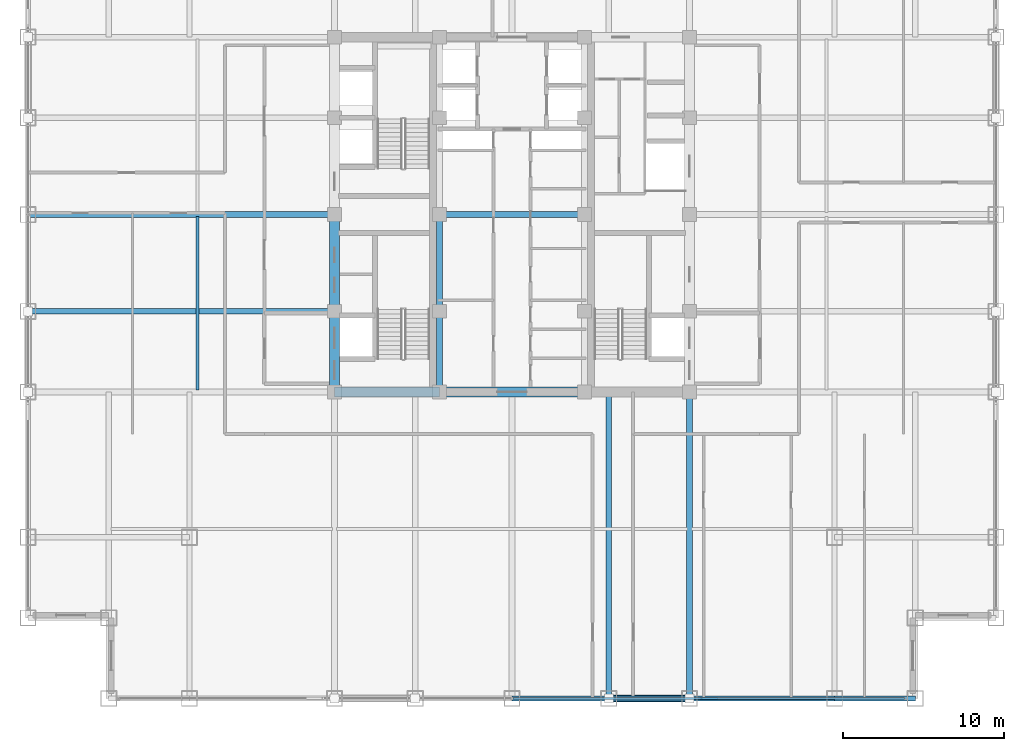
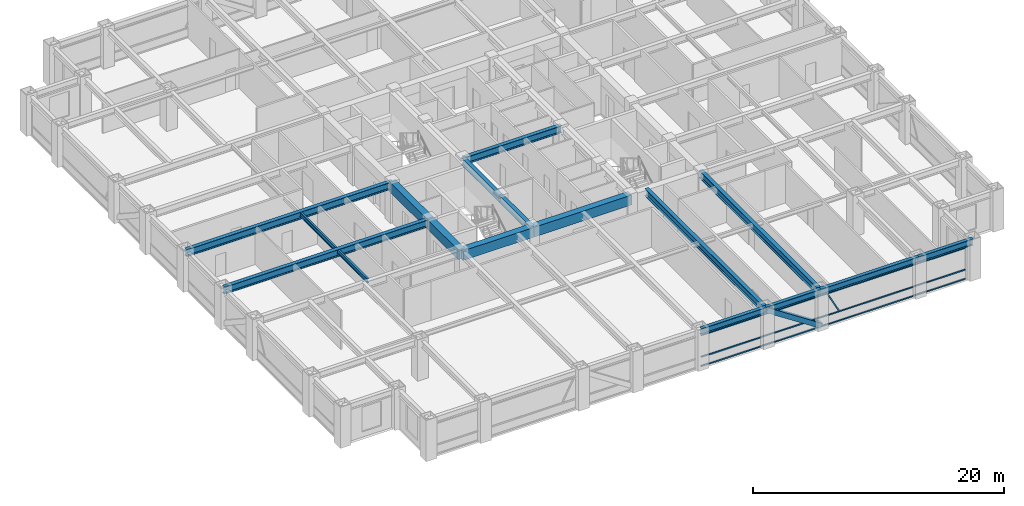
# One storey, part 7 of 25: 16 beams, 5 members, 1 element without a shape of its own.
"""IFC4 building model written with IfcOpenShell, lengths in metres."""

from ifc_helpers import new_model, si_unit, direction, frame, origin, origin_2d, place, context, subcontext, project, spatial, rectangle, hollow_rectangle, i_section, extrude, source, transform, mapped, material, material_profile, profile_set, type_object, element, aggregate, save


model = new_model("IFC4")

# Units and contexts
model_context = context("Model", 3, precision=1e-05, world=origin(), true_north=direction((0.0, 1.0)))
body_context = subcontext(model_context, "Body", "Model", "MODEL_VIEW")
ifc_project = project(units=[si_unit("LENGTHUNIT", "METRE"), si_unit("AREAUNIT", "SQUARE_METRE"), si_unit("VOLUMEUNIT", "CUBIC_METRE"), si_unit("PLANEANGLEUNIT", "RADIAN"), si_unit("MASSUNIT", "GRAM", prefix="KILO")], contexts=[model_context])

# Site, building, storey
site_placement = place(None, origin())
site = spatial("IfcSite", under=ifc_project, at=site_placement, CompositionType="ELEMENT")
building_placement = place(site_placement, origin())
building = spatial("IfcBuilding", under=site, at=building_placement, Name="Khorayat Bourse Tower", CompositionType="ELEMENT")
storey_placement = place(building_placement, frame((0.0, 0.0, 231.10009765625)))
storey = spatial("IfcBuildingStorey", under=building, at=storey_placement, Name="L54", CompositionType="ELEMENT", Elevation=231.10009765625)

# Beams
ifc_material_1 = material(Name="Steel ASTM A992 Grade 50", Category="steel")
ifc_material_profile_1 = material_profile(ifc_material_1, i_section(OverallWidth=0.35498046875, OverallDepth=0.695068359375, WebThickness=0.015380859375, FlangeThickness=0.02490234375, FilletRadius=0.01806640625, at=origin_2d()), Name="W690X217")
ifc_profile_set_1 = profile_set([ifc_material_profile_1], Name="Steel ASTM A992 Grade 50")
beam_type_1 = type_object("IfcBeamType", Name="BM-GIRD-690", PredefinedType="BEAM", material=ifc_profile_set_1)
shared_shape_1 = source(origin(), body_context, "Body", "SweptSolid", [
    extrude(i_section(OverallWidth=0.35498046875, OverallDepth=0.695068359375, WebThickness=0.015380859375, FlangeThickness=0.02490234375, FilletRadius=0.01806640625, at=origin_2d()), origin(), (0.0, 0.0, 1.0), 5.0),
])
beam_1_placement = place(storey_placement, frame((-4.5, -11.0, 3.432373046875), z_axis=(0.0, 1.0, 0.0), x_axis=(-1.0, 0.0, 0.0)))
element("IfcBeam", 1, at=beam_1_placement, inside=storey, type_object=beam_type_1, Name="L54 BM-GIRD-690 BM-L54-CRX-05", PredefinedType="BEAM", context=body_context, shape_type="MappedRepresentation", body=[
    mapped(shared_shape_1, transform((0.0, 0.0, 0.0), scale=1.0)),
])
shared_shape_2 = source(origin(), body_context, "Body", "SweptSolid", [
    extrude(i_section(OverallWidth=0.35498046875, OverallDepth=0.695068359375, WebThickness=0.015380859375, FlangeThickness=0.02490234375, FilletRadius=0.01806640625, at=origin_2d()), origin(), (0.0, 0.0, 1.0), 6.0),
])
beam_2_placement = place(storey_placement, frame((-4.5, -6.0, 3.432373046875), z_axis=(0.0, 1.0, 0.0), x_axis=(-1.0, 0.0, 0.0)))
element("IfcBeam", 2, at=beam_2_placement, inside=storey, type_object=beam_type_1, Name="L54 BM-GIRD-690 BM-L54-CRX-06", PredefinedType="BEAM", context=body_context, shape_type="MappedRepresentation", body=[
    mapped(shared_shape_2, transform((0.0, 0.0, 0.0), scale=1.0)),
])
shared_shape_3 = source(origin(), body_context, "Body", "SweptSolid", [
    extrude(i_section(OverallWidth=0.35498046875, OverallDepth=0.695068359375, WebThickness=0.015380859375, FlangeThickness=0.02490234375, FilletRadius=0.01806640625, at=origin_2d()), origin(), (0.0, 0.0, 1.0), 9.0),
])
beam_3_placement = place(storey_placement, frame((-4.5, 0.0, 3.432373046875), z_axis=(1.0, 0.0, 0.0), x_axis=(0.0, 1.0, 0.0)))
element("IfcBeam", 3, at=beam_3_placement, inside=storey, type_object=beam_type_1, Name="L54 BM-GIRD-690 BM-L54-CRY-23", PredefinedType="BEAM", context=body_context, shape_type="MappedRepresentation", body=[
    mapped(shared_shape_3, transform((0.0, 0.0, 0.0), scale=1.0)),
])
ifc_material_profile_2 = material_profile(ifc_material_1, i_section(OverallWidth=0.180908203125, OverallDepth=0.4169921875, WebThickness=0.010986328125, FlangeThickness=0.018310546875, FilletRadius=0.011962890625, at=origin_2d()), Name="W410X85")
ifc_profile_set_2 = profile_set([ifc_material_profile_2], Name="Steel ASTM A992 Grade 50")
beam_type_2 = type_object("IfcBeamType", Name="BM-JOIST-410", PredefinedType="JOIST", material=ifc_profile_set_2)
shared_shape_4 = source(origin(), body_context, "Body", "SweptSolid", [
    extrude(i_section(OverallWidth=0.180908203125, OverallDepth=0.4169921875, WebThickness=0.010986328125, FlangeThickness=0.018310546875, FilletRadius=0.011962890625, at=origin_2d()), origin(), (0.0, 0.0, 1.0), 10.740234375),
])
beam_4_placement = place(storey_placement, frame((-19.5, -10.8701171875, 3.5712890625), z_axis=(0.0, 1.0, 0.0), x_axis=(-1.0, 0.0, 0.0)))
element("IfcBeam", 4, at=beam_4_placement, inside=storey, type_object=beam_type_2, Name="L54 BM-JOIST-410 BM-L54-JSTY-102", PredefinedType="JOIST", context=body_context, shape_type="MappedRepresentation", body=[
    mapped(shared_shape_4, transform((0.0, 0.0, 0.0), scale=1.0)),
])
ifc_material_profile_3 = material_profile(ifc_material_1, i_section(OverallWidth=0.324951171875, OverallDepth=0.615966796875, WebThickness=0.013916015625, FlangeThickness=0.021484375, FilletRadius=0.01611328125, at=origin_2d()), Name="W610X174")
ifc_profile_set_3 = profile_set([ifc_material_profile_3], Name="Steel ASTM A992 Grade 50")
beam_type_3 = type_object("IfcBeamType", Name="BM-SPAN-610", PredefinedType="SPANDREL", material=ifc_profile_set_3)
shared_shape_5 = source(origin(), body_context, "Body", "SweptSolid", [
    extrude(i_section(OverallWidth=0.324951171875, OverallDepth=0.615966796875, WebThickness=0.013916015625, FlangeThickness=0.021484375, FilletRadius=0.01611328125, at=origin_2d()), origin(), (0.0, 0.0, 1.0), 9.0),
])
beam_5_placement = place(storey_placement, frame((11.0, -30.0, 3.471923828125), z_axis=(1.0, 0.0, 0.0), x_axis=(0.0, 1.0, 0.0)))
element("IfcBeam", 5, at=beam_5_placement, inside=storey, type_object=beam_type_3, Name="L54 BM-SPAN-610 BM-L54-SPN-030", PredefinedType="SPANDREL", context=body_context, shape_type="MappedRepresentation", body=[
    mapped(shared_shape_5, transform((0.0, 0.0, 0.0), scale=1.0)),
])
shared_shape_6 = source(origin(), body_context, "Body", "SweptSolid", [
    extrude(i_section(OverallWidth=0.324951171875, OverallDepth=0.615966796875, WebThickness=0.013916015625, FlangeThickness=0.021484375, FilletRadius=0.01611328125, at=origin_2d()), origin(), (0.0, 0.0, 1.0), 5.0),
])
for number, where, z_axis, x_axis, name in (
    (6, (6.0, -30.0, 3.471923828125), (1.0, 0.0, 0.0), (0.0, 1.0, 0.0), "L54 BM-SPAN-610 BM-L54-SPN-029"),
    (7, (20.0, -30.0, 3.471923828125), (1.0, 0.0, 0.0), (0.0, 1.0, 0.0), "L54 BM-SPAN-610 BM-L54-SPN-031"),
):
    element("IfcBeam", number, at=place(storey_placement, frame(where, z_axis=z_axis, x_axis=x_axis)), inside=storey, type_object=beam_type_3, Name=name, PredefinedType="SPANDREL", context=body_context, shape_type="MappedRepresentation", body=[
        mapped(shared_shape_6, transform((0.0, 0.0, 0.0), scale=1.0)),
    ])
shared_shape_7 = source(origin(), body_context, "Body", "SweptSolid", [
    extrude(i_section(OverallWidth=0.324951171875, OverallDepth=0.615966796875, WebThickness=0.013916015625, FlangeThickness=0.021484375, FilletRadius=0.01611328125, at=origin_2d()), origin(), (0.0, 0.0, 1.0), 6.0),
])
beam_6_placement = place(storey_placement, frame((0.0, -30.0, 3.471923828125), z_axis=(1.0, 0.0, 0.0), x_axis=(0.0, 1.0, 0.0)))
element("IfcBeam", 8, at=beam_6_placement, inside=storey, type_object=beam_type_3, Name="L54 BM-SPAN-610 BM-L54-SPN-028", PredefinedType="SPANDREL", context=body_context, shape_type="MappedRepresentation", body=[
    mapped(shared_shape_7, transform((0.0, 0.0, 0.0), scale=1.0)),
])
ifc_material_2 = material(Name="Concrete C60/75", Category="concrete")
ifc_material_profile_4 = material_profile(ifc_material_2, rectangle(XDim=0.60009765625, YDim=0.949951171875, at=origin_2d()), Name="RC 600x950")
ifc_profile_set_4 = profile_set([ifc_material_profile_4], Name="Concrete C60/75")
beam_type_4 = type_object("IfcBeamType", Name="BM-COUP-950", PredefinedType="BEAM", material=ifc_profile_set_4)
shared_shape_8 = source(origin(), body_context, "Body", "SweptSolid", [
    extrude(rectangle(XDim=0.60009765625, YDim=0.949951171875, at=origin_2d()), origin(), (0.0, 0.0, 1.0), 5.0),
])
beam_7_placement = place(storey_placement, frame((-11.0, -11.0, 3.304931640625), z_axis=(0.0, 1.0, 0.0), x_axis=(-1.0, 0.0, 0.0)))
element("IfcBeam", 9, at=beam_7_placement, inside=storey, type_object=beam_type_4, Name="L54 BM-COUP-950 BM-L54-CRX-01", PredefinedType="BEAM", context=body_context, shape_type="MappedRepresentation", body=[
    mapped(shared_shape_8, transform((0.0, 0.0, 0.0), scale=1.0)),
])
shared_shape_9 = source(origin(), body_context, "Body", "SweptSolid", [
    extrude(rectangle(XDim=0.60009765625, YDim=0.949951171875, at=origin_2d()), origin(), (0.0, 0.0, 1.0), 6.0),
])
beam_8_placement = place(storey_placement, frame((-11.0, -6.0, 3.304931640625), z_axis=(0.0, 1.0, 0.0), x_axis=(-1.0, 0.0, 0.0)))
element("IfcBeam", 10, at=beam_8_placement, inside=storey, type_object=beam_type_4, Name="L54 BM-COUP-950 BM-L54-CRX-02", PredefinedType="BEAM", context=body_context, shape_type="MappedRepresentation", body=[
    mapped(shared_shape_9, transform((0.0, 0.0, 0.0), scale=1.0)),
])
shared_shape_10 = source(origin(), body_context, "Body", "SweptSolid", [
    extrude(rectangle(XDim=0.60009765625, YDim=0.949951171875, at=origin_2d()), origin(), (0.0, 0.0, 1.0), 6.5),
])
beam_9_placement = place(storey_placement, frame((-11.0, -11.0, 3.304931640625), z_axis=(1.0, 0.0, 0.0), x_axis=(0.0, 1.0, 0.0)))
element("IfcBeam", 11, at=beam_9_placement, inside=storey, type_object=beam_type_4, Name="L54 BM-COUP-950 BM-L54-CRY-17", PredefinedType="BEAM", context=body_context, shape_type="MappedRepresentation", body=[
    mapped(shared_shape_10, transform((0.0, 0.0, 0.0), scale=1.0)),
])
shared_shape_11 = source(origin(), body_context, "Body", "SweptSolid", [
    extrude(rectangle(XDim=0.60009765625, YDim=0.949951171875, at=origin_2d()), origin(), (0.0, 0.0, 1.0), 9.0),
])
beam_10_placement = place(storey_placement, frame((-4.5, -11.0, 3.304931640625), z_axis=(1.0, 0.0, 0.0), x_axis=(0.0, 1.0, 0.0)))
element("IfcBeam", 12, at=beam_10_placement, inside=storey, type_object=beam_type_4, Name="L54 BM-COUP-950 BM-L54-CRY-18", PredefinedType="BEAM", context=body_context, shape_type="MappedRepresentation", body=[
    mapped(shared_shape_11, transform((0.0, 0.0, 0.0), scale=1.0)),
])
shared_shape_12 = source(origin(), body_context, "Body", "SweptSolid", [
    extrude(i_section(OverallWidth=0.35498046875, OverallDepth=0.695068359375, WebThickness=0.015380859375, FlangeThickness=0.02490234375, FilletRadius=0.01806640625, at=origin_2d()), origin(), (0.0, 0.0, 1.0), 19.0),
])
for number, where, z_axis, x_axis, name in (
    (13, (6.0, -30.0, 3.432373046875), (0.0, 1.0, 0.0), (-1.0, 0.0, 0.0), "L54 BM-GIRD-690 BM-L54-RADY-071"),
    (14, (11.0, -30.0, 3.432373046875), (0.0, 1.0, 0.0), (-1.0, 0.0, 0.0), "L54 BM-GIRD-690 BM-L54-RADY-073"),
    (15, (-30.0, -6.0, 3.432373046875), (1.0, 0.0, 0.0), (0.0, 1.0, 0.0), "L54 BM-GIRD-690 BM-L54-RADX-077"),
    (16, (-30.0, 0.0, 3.432373046875), (1.0, 0.0, 0.0), (0.0, 1.0, 0.0), "L54 BM-GIRD-690 BM-L54-RADX-079"),
):
    element("IfcBeam", number, at=place(storey_placement, frame(where, z_axis=z_axis, x_axis=x_axis)), inside=storey, type_object=beam_type_1, Name=name, PredefinedType="BEAM", context=body_context, shape_type="MappedRepresentation", body=[
        mapped(shared_shape_12, transform((0.0, 0.0, 0.0), scale=1.0)),
    ])

# Member
ifc_material_3 = material(Name="Steel EN 10025-4 S460M", Category="steel")
ifc_material_profile_5 = material_profile(ifc_material_3, hollow_rectangle(XDim=0.449951171875, YDim=0.449951171875, WallThickness=0.02490234375, at=origin_2d()), Name="HSS 450x450x25")
ifc_profile_set_5 = profile_set([ifc_material_profile_5], Name="Steel EN 10025-4 S460M")
member_type_1 = type_object("IfcMemberType", Name="MBR-TUBE-450", PredefinedType="BRACE", material=ifc_profile_set_5)
shared_shape_13 = source(origin(), body_context, "Body", "SweptSolid", [
    extrude(hollow_rectangle(XDim=0.449951171875, YDim=0.449951171875, WallThickness=0.02490234375, at=origin_2d()), origin(), (0.0, 0.0, 1.0), 5.979736328125),
])
member_1_placement = place(storey_placement, frame((6.0, -30.0, 3.52978515625), z_axis=(0.836160261256, 0.0, -0.548485202623), x_axis=(0.0, 1.0, 0.0)))
element("IfcMember", 17, at=member_1_placement, inside=storey, type_object=member_type_1, Name="L54 Perimeter Tube Brace 02", PredefinedType="BRACE", context=body_context, shape_type="MappedRepresentation", body=[
    mapped(shared_shape_13, transform((0.0, 0.0, 0.0), scale=1.0)),
])

# Curtain wall, members
ifc_material_4 = material(Name="Aluminium EN AW-6063 T6", Category="aluminium")
curtain_wall_type = type_object("IfcCurtainWallType", Name="CW-SYS-03", PredefinedType="NOTDEFINED", material=ifc_material_4)
curtain_wall_placement = place(storey_placement, origin())
curtain_wall = element("IfcCurtainWall", 18, at=curtain_wall_placement, inside=storey, type_object=curtain_wall_type, Name="L54 Curtain Wall CW-L54-S1", PredefinedType="NOTDEFINED")
ifc_material_profile_6 = material_profile(ifc_material_4, hollow_rectangle(XDim=0.1201171875, YDim=0.1201171875, WallThickness=0.0048828125, at=origin_2d()), Name="ALU 120x120x5")
ifc_profile_set_6 = profile_set([ifc_material_profile_6], Name="Aluminium EN AW-6063 T6")
member_type_2 = type_object("IfcMemberType", Name="CWM-DIAG-120", PredefinedType="MULLION", material=ifc_profile_set_6)
shared_shape_14 = source(origin(), body_context, "Body", "SweptSolid", [
    extrude(hollow_rectangle(XDim=0.1201171875, YDim=0.1201171875, WallThickness=0.0048828125, at=origin_2d()), origin(), (0.0, 0.0, 1.0), 2.079345703125),
])
member_2_placement = place(storey_placement, frame((12.67919921875, -30.0, 1.08984375), z_axis=(-0.465760949701, 0.0, 0.884910581773), x_axis=(0.0, -1.0, 0.0)))
member_2 = element("IfcMember", 19, at=member_2_placement, type_object=member_type_2, Name="CW-L54-S1 Faceted Diagonal Mullion 2", PredefinedType="MULLION", context=body_context, shape_type="MappedRepresentation", body=[
    mapped(shared_shape_14, transform((0.0, 0.0, 0.0), scale=1.0)),
])
ifc_material_profile_7 = material_profile(ifc_material_4, hollow_rectangle(XDim=0.1201171875, YDim=0.1201171875, WallThickness=0.0048828125, at=origin_2d()), Name="ALU 120x120x5")
ifc_profile_set_7 = profile_set([ifc_material_profile_7], Name="Aluminium EN AW-6063 T6")
member_type_3 = type_object("IfcMemberType", Name="CWT-HORZ-120", PredefinedType="USERDEFINED", material=ifc_profile_set_7)
shared_shape_15 = source(origin(), body_context, "Body", "SweptSolid", [
    extrude(hollow_rectangle(XDim=0.1201171875, YDim=0.1201171875, WallThickness=0.0048828125, at=origin_2d()), origin(), (0.0, 0.0, 1.0), 24.27001953125),
])
member_3_placement = place(storey_placement, frame((0.06005859375, -30.0, 0.059814453125), z_axis=(1.0, 0.0, 0.0), x_axis=(0.0, 1.0, 0.0)))
member_3 = element("IfcMember", 20, at=member_3_placement, type_object=member_type_3, Name="CW-L54-S1 Horizontal Transom 2-1", ObjectType="TRANSOM", PredefinedType="USERDEFINED", context=body_context, shape_type="MappedRepresentation", body=[
    mapped(shared_shape_15, transform((0.0, 0.0, 0.0), scale=1.0)),
])
member_4_placement = place(storey_placement, frame((0.06005859375, -30.0, 0.949951171875), z_axis=(1.0, 0.0, 0.0), x_axis=(0.0, 1.0, 0.0)))
member_4 = element("IfcMember", 21, at=member_4_placement, type_object=member_type_3, Name="CW-L54-S1 Horizontal Transom 2-2", ObjectType="TRANSOM", PredefinedType="USERDEFINED", context=body_context, shape_type="MappedRepresentation", body=[
    mapped(shared_shape_15, transform((0.0, 0.0, 0.0), scale=1.0)),
])
member_5_placement = place(storey_placement, frame((0.06005859375, -30.0, 3.06982421875), z_axis=(1.0, 0.0, 0.0), x_axis=(0.0, 1.0, 0.0)))
member_5 = element("IfcMember", 22, at=member_5_placement, type_object=member_type_3, Name="CW-L54-S1 Horizontal Transom 2-3", ObjectType="TRANSOM", PredefinedType="USERDEFINED", context=body_context, shape_type="MappedRepresentation", body=[
    mapped(shared_shape_15, transform((0.0, 0.0, 0.0), scale=1.0)),
])
aggregate(curtain_wall, [member_3, member_4, member_5, member_2])

save(model, "model.ifc")
